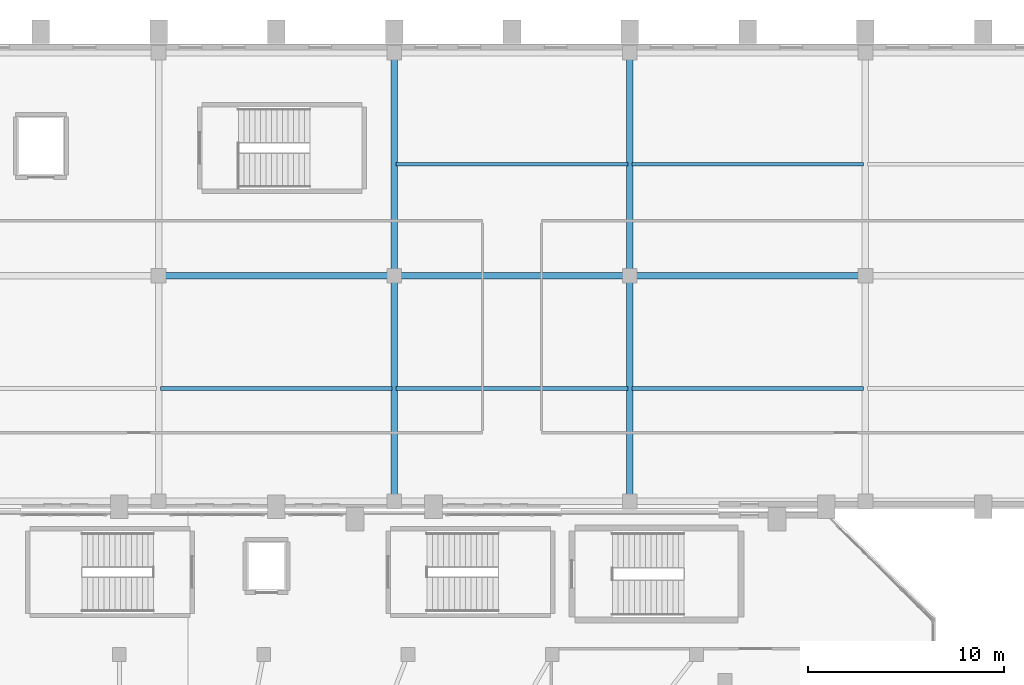
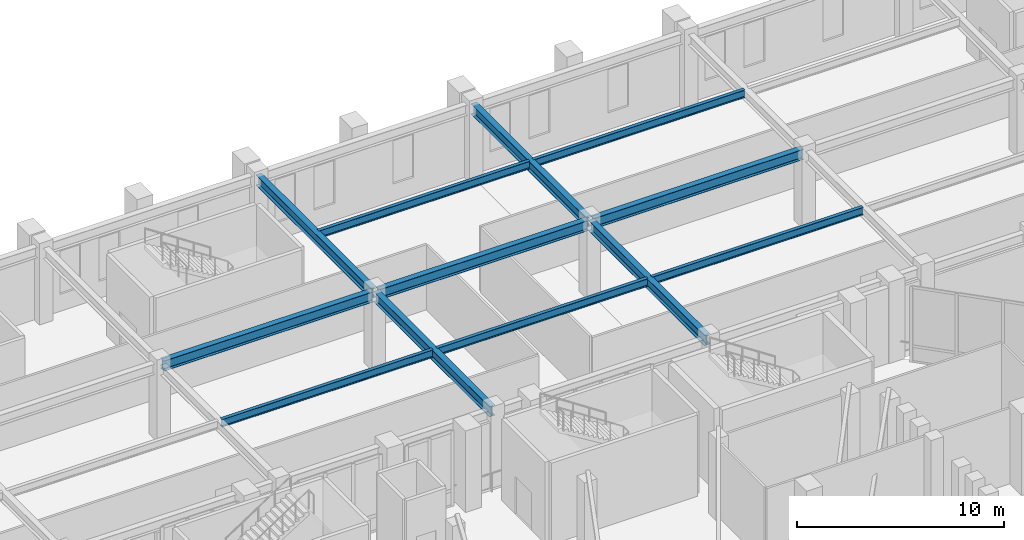
# One storey, part 38 of 126: 12 beams.
"""IFC4 building model written with IfcOpenShell, lengths in metres."""

from ifc_helpers import new_model, si_unit, derived_unit, direction, frame, origin, origin_2d, place, context, subcontext, project, spatial, i_section, extrude, material, material_profile, profile_set, type_object, element, save


model = new_model("IFC4")

# Units and contexts
model_context = context("Model", 3, precision=1e-05, world=origin(), true_north=direction((0.0, 1.0)))
body_context = subcontext(model_context, "Body", "Model", "MODEL_VIEW")
ifc_project = project(units=[si_unit("LENGTHUNIT", "METRE"), si_unit("AREAUNIT", "SQUARE_METRE"), si_unit("VOLUMEUNIT", "CUBIC_METRE"), si_unit("PLANEANGLEUNIT", "RADIAN"), si_unit("MASSUNIT", "GRAM", prefix="KILO"), derived_unit("THERMALTRANSMITTANCEUNIT", [(si_unit("MASSUNIT", "GRAM", prefix="KILO"), 1), (si_unit("TIMEUNIT", "SECOND"), -3), (si_unit("THERMODYNAMICTEMPERATUREUNIT", "KELVIN"), -1)])], contexts=[model_context])

# Site, building, storey
site_placement = place(None, origin())
site = spatial("IfcSite", under=ifc_project, at=site_placement, CompositionType="ELEMENT")
building_placement = place(site_placement, origin())
building = spatial("IfcBuilding", under=site, at=building_placement, Name="Valcora Ridge Arena", CompositionType="ELEMENT")
storey_placement = place(building_placement, frame((0.0, 0.0, 11.39990234375)))
storey = spatial("IfcBuildingStorey", under=building, at=storey_placement, Name="L02", CompositionType="ELEMENT", Elevation=11.39990234375)

# Beams
ifc_material = material(Name="Steel ASTM A572 Grade 50", Category="steel")
ifc_material_profile_1 = material_profile(ifc_material, i_section(OverallWidth=0.324951171875, OverallDepth=0.612060546875, WebThickness=0.0126953125, FlangeThickness=0.01904296875, FilletRadius=0.01806640625, at=origin_2d()), Name="W24X104")
ifc_profile_set_1 = profile_set([ifc_material_profile_1], Name="Steel ASTM A572 Grade 50")
beam_type_1 = type_object("IfcBeamType", Name="TY-BEAM-G-W24X104-X", PredefinedType="BEAM", material=ifc_profile_set_1)
for number, where, z_axis, x_axis, name in (
    (1, (60.139892578125, 120.199951171875, 4.14404296875), (1.0, 0.0, 0.0), (0.0, 1.0, 0.0), "G-W24X104-X BEM-G-W24X104-X-0083"),
    (2, (72.139892578125, 120.199951171875, 4.14404296875), (1.0, 0.0, 0.0), (0.0, 1.0, 0.0), "G-W24X104-X BEM-G-W24X104-X-0084"),
    (3, (84.139892578125, 120.199951171875, 4.14404296875), (1.0, 0.0, 0.0), (0.0, 1.0, 0.0), "G-W24X104-X BEM-G-W24X104-X-0085"),
):
    element("IfcBeam", number, at=place(storey_placement, frame(where, z_axis=z_axis, x_axis=x_axis)), inside=storey, type_object=beam_type_1, Name=name, PredefinedType="BEAM", context=body_context, shape_type="SweptSolid", body=[
        extrude(i_section(OverallWidth=0.324951171875, OverallDepth=0.612060546875, WebThickness=0.0126953125, FlangeThickness=0.01904296875, FilletRadius=0.01806640625, at=origin_2d()), origin(), (0.0, 0.0, 1.0), 11.72021484375),
    ])
ifc_material_profile_2 = material_profile(ifc_material, i_section(OverallWidth=0.324951171875, OverallDepth=0.612060546875, WebThickness=0.0126953125, FlangeThickness=0.01904296875, FilletRadius=0.01806640625, at=origin_2d()), Name="W24X104")
ifc_profile_set_2 = profile_set([ifc_material_profile_2], Name="Steel ASTM A572 Grade 50")
beam_type_2 = type_object("IfcBeamType", Name="TY-BEAM-G-W24X104-Y", PredefinedType="BEAM", material=ifc_profile_set_2)
beam_1_placement = place(storey_placement, frame((72.0, 108.840087890625, 4.14404296875), z_axis=(0.0, 1.0, 0.0), x_axis=(-1.0, 0.0, 0.0)))
element("IfcBeam", 4, at=beam_1_placement, inside=storey, type_object=beam_type_2, Name="G-W24X104-Y BEM-G-W24X104-Y-0080", PredefinedType="BEAM", context=body_context, shape_type="SweptSolid", body=[
    extrude(i_section(OverallWidth=0.324951171875, OverallDepth=0.612060546875, WebThickness=0.0126953125, FlangeThickness=0.01904296875, FilletRadius=0.01806640625, at=origin_2d()), origin(), (0.0, 0.0, 1.0), 11.219970703125),
])
beam_2_placement = place(storey_placement, frame((72.0, 120.340087890625, 4.14404296875), z_axis=(0.0, 1.0, 0.0), x_axis=(-1.0, 0.0, 0.0)))
element("IfcBeam", 5, at=beam_2_placement, inside=storey, type_object=beam_type_2, Name="G-W24X104-Y BEM-G-W24X104-Y-0081", PredefinedType="BEAM", context=body_context, shape_type="SweptSolid", body=[
    extrude(i_section(OverallWidth=0.324951171875, OverallDepth=0.612060546875, WebThickness=0.0126953125, FlangeThickness=0.01904296875, FilletRadius=0.01806640625, at=origin_2d()), origin(), (0.0, 0.0, 1.0), 11.06982421875),
])
beam_3_placement = place(storey_placement, frame((84.0, 108.840087890625, 4.14404296875), z_axis=(0.0, 1.0, 0.0), x_axis=(-1.0, 0.0, 0.0)))
element("IfcBeam", 6, at=beam_3_placement, inside=storey, type_object=beam_type_2, Name="G-W24X104-Y BEM-G-W24X104-Y-0082", PredefinedType="BEAM", context=body_context, shape_type="SweptSolid", body=[
    extrude(i_section(OverallWidth=0.324951171875, OverallDepth=0.612060546875, WebThickness=0.0126953125, FlangeThickness=0.01904296875, FilletRadius=0.01806640625, at=origin_2d()), origin(), (0.0, 0.0, 1.0), 11.219970703125),
])
beam_4_placement = place(storey_placement, frame((84.0, 120.340087890625, 4.14404296875), z_axis=(0.0, 1.0, 0.0), x_axis=(-1.0, 0.0, 0.0)))
element("IfcBeam", 7, at=beam_4_placement, inside=storey, type_object=beam_type_2, Name="G-W24X104-Y BEM-G-W24X104-Y-0083", PredefinedType="BEAM", context=body_context, shape_type="SweptSolid", body=[
    extrude(i_section(OverallWidth=0.324951171875, OverallDepth=0.612060546875, WebThickness=0.0126953125, FlangeThickness=0.01904296875, FilletRadius=0.01806640625, at=origin_2d()), origin(), (0.0, 0.0, 1.0), 11.06982421875),
])
ifc_material_profile_3 = material_profile(ifc_material, i_section(OverallWidth=0.18994140625, OverallDepth=0.45703125, WebThickness=0.009033203125, FlangeThickness=0.014404296875, FilletRadius=0.014892578125, at=origin_2d()), Name="W18X50")
ifc_profile_set_3 = profile_set([ifc_material_profile_3], Name="Steel ASTM A572 Grade 50")
beam_type_3 = type_object("IfcBeamType", Name="TY-BEAM-J-W18X50", PredefinedType="JOIST", material=ifc_profile_set_3)
for number, where, z_axis, x_axis, name in (
    (8, (60.10009765625, 114.449951171875, 4.2216796875), (1.0, 0.0, 0.0), (0.0, 1.0, 0.0), "J-W18X50 BEM-J-W18X50-0056"),
    (9, (72.10009765625, 114.449951171875, 4.2216796875), (1.0, 0.0, 0.0), (0.0, 1.0, 0.0), "J-W18X50 BEM-J-W18X50-0057"),
    (10, (72.10009765625, 125.875, 4.2216796875), (1.0, 0.0, 0.0), (0.0, 1.0, 0.0), "J-W18X50 BEM-J-W18X50-0058"),
    (11, (84.10009765625, 114.449951171875, 4.2216796875), (1.0, 0.0, 0.0), (0.0, 1.0, 0.0), "J-W18X50 BEM-J-W18X50-0059"),
    (12, (84.10009765625, 125.875, 4.2216796875), (1.0, 0.0, 0.0), (0.0, 1.0, 0.0), "J-W18X50 BEM-J-W18X50-0060"),
):
    element("IfcBeam", number, at=place(storey_placement, frame(where, z_axis=z_axis, x_axis=x_axis)), inside=storey, type_object=beam_type_3, Name=name, PredefinedType="JOIST", context=body_context, shape_type="SweptSolid", body=[
        extrude(i_section(OverallWidth=0.18994140625, OverallDepth=0.45703125, WebThickness=0.009033203125, FlangeThickness=0.014404296875, FilletRadius=0.014892578125, at=origin_2d()), origin(), (0.0, 0.0, 1.0), 11.7998046875),
    ])

save(model, "model.ifc")
